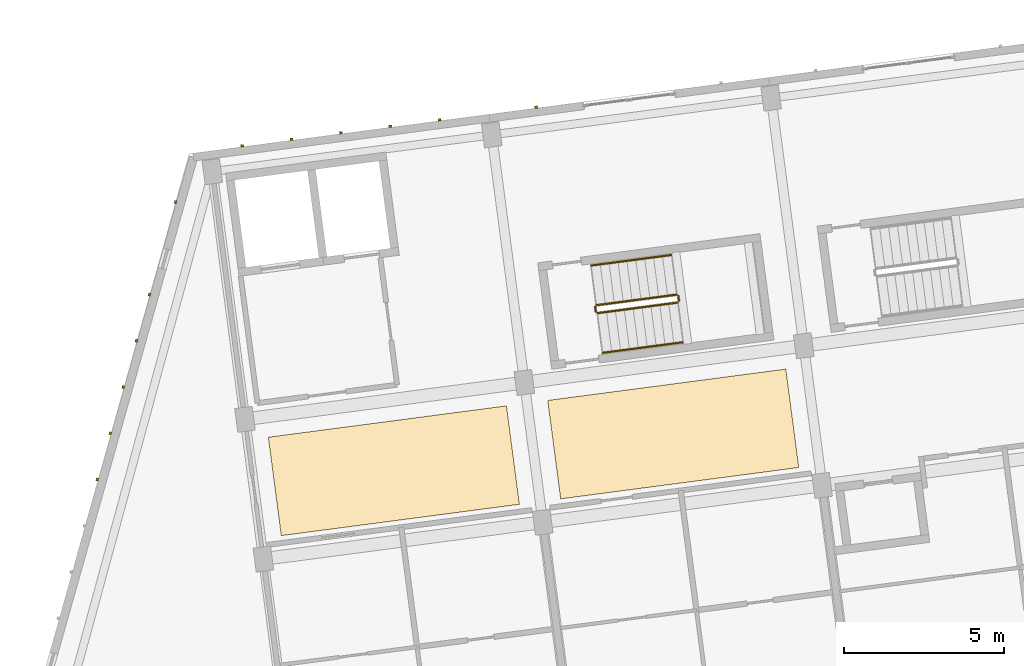
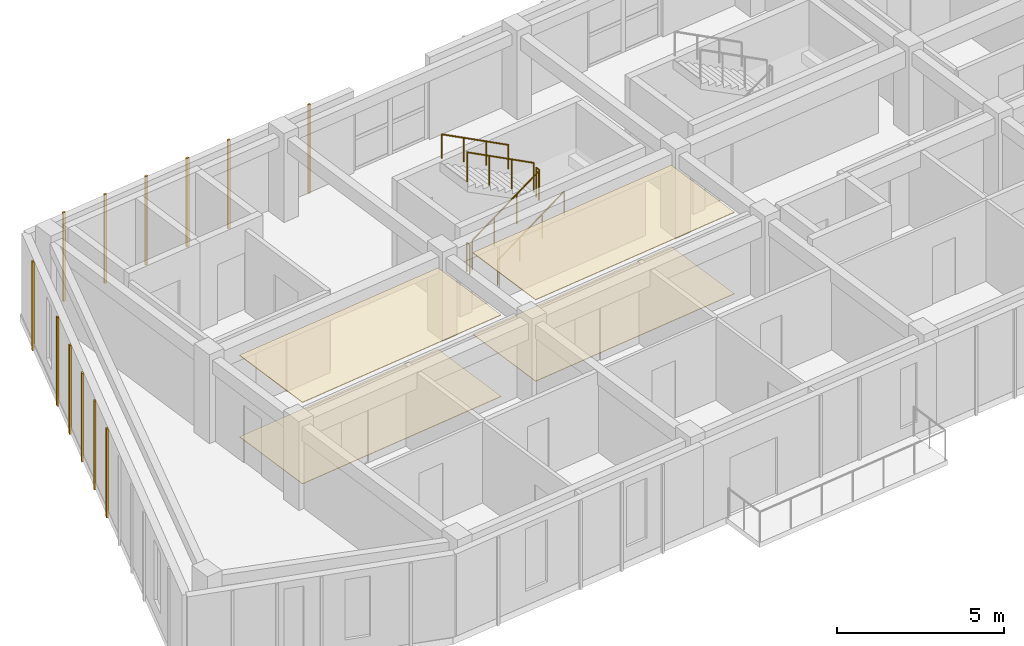
# One storey, part 45 of 68: 16 coverings, 6 railings.
"""IFC4 building model written with IfcOpenShell, lengths in metres."""

from ifc_helpers import new_model, si_unit, direction, frame, origin, origin_2d, place, context, subcontext, project, spatial, polyline, rectangle, circle, outline, extrude, material, layer, layer_set, type_object, element, save


model = new_model("IFC4")

# Units and contexts
model_context = context("Model", 3, precision=1e-05, world=origin(), true_north=direction((0.0, 1.0)))
body_context = subcontext(model_context, "Body", "Model", "MODEL_VIEW")
ifc_project = project(units=[si_unit("LENGTHUNIT", "METRE"), si_unit("AREAUNIT", "SQUARE_METRE"), si_unit("VOLUMEUNIT", "CUBIC_METRE"), si_unit("PLANEANGLEUNIT", "RADIAN"), si_unit("MASSUNIT", "GRAM", prefix="KILO")], contexts=[model_context])

# Site, building, storey
site_placement = place(None, origin())
site = spatial("IfcSite", under=ifc_project, at=site_placement, CompositionType="ELEMENT")
building_placement = place(site_placement, origin())
building = spatial("IfcBuilding", under=site, at=building_placement, Name="Kestramere Prow Commons", CompositionType="ELEMENT")
storey_placement = place(building_placement, frame((0.0, 0.0, 18.14990234375)))
storey = spatial("IfcBuildingStorey", under=building, at=storey_placement, Name="L05", CompositionType="ELEMENT", Elevation=18.14990234375)

# Coverings
ifc_material_1 = material(Name="Mineral Fibre Acoustic Ceiling Tile")
ifc_layer_1 = layer(ifc_material_1, 0.02490234375)
ifc_layer_set_1 = layer_set([ifc_layer_1], Name="Mineral Fibre Acoustic Ceiling Tile")
covering_type_1 = type_object("IfcCoveringType", Name="COV-CEIL-ACOUSTIC", PredefinedType="CEILING", material=ifc_layer_set_1)
covering_1_placement = place(storey_placement, frame((0.0, 0.0, 2.97509765625)))
element("IfcCovering", 1, at=covering_1_placement, inside=storey, type_object=covering_type_1, Name="Block A L05 Corridor Acoustic Ceiling 1", PredefinedType="CEILING", context=body_context, shape_type="SweptSolid", body=[
    extrude(outline(polyline([(10.741455078125, 80.462646484375), (18.17724609375, 81.44140625), (17.772705078125, 84.514892578125), (10.3369140625, 83.5361328125), (10.741455078125, 80.462646484375)])), origin(), (0.0, 0.0, 1.0), 0.02490234375),
])
covering_2_placement = place(storey_placement, frame((0.0, 0.0, 2.97509765625)))
element("IfcCovering", 2, at=covering_2_placement, inside=storey, type_object=covering_type_1, Name="Block A L05 Corridor Acoustic Ceiling 2", PredefinedType="CEILING", context=body_context, shape_type="SweptSolid", body=[
    extrude(outline(polyline([(19.46630859375, 81.611083984375), (26.902099609375, 82.590087890625), (26.497314453125, 85.66357421875), (19.0615234375, 84.6845703125), (19.46630859375, 81.611083984375)])), origin(), (0.0, 0.0, 1.0), 0.02490234375),
])
ifc_material_2 = material(Name="Weathered Zinc-Titanium Standing-Seam Cladding")
ifc_layer_2 = layer(ifc_material_2, 0.074951171875)
ifc_layer_set_2 = layer_set([ifc_layer_2], Name="Weathered Zinc-Titanium Standing-Seam Cladding")
covering_type_2 = type_object("IfcCoveringType", Name="COV-CLAD-SEAM", PredefinedType="CLADDING", material=ifc_layer_set_2)
for number, where, z_axis, x_axis, name in (
    (3, (9.521484375, 92.635009765625, -0.25), (0.0, 0.0, 1.0), (0.991444861374, 0.13052619222, 0.0), "EW-A-L05-N-0 Standing-Seam Rib 1"),
    (4, (11.062255859375, 92.837890625, -0.25), (0.0, 0.0, 1.0), (0.991444861374, 0.13052619222, 0.0), "EW-A-L05-N-0 Standing-Seam Rib 2"),
    (5, (12.603271484375, 93.040771484375, -0.25), (0.0, 0.0, 1.0), (0.991444861374, 0.13052619222, 0.0), "EW-A-L05-N-0 Standing-Seam Rib 3"),
    (6, (14.14404296875, 93.243408203125, -0.25), (0.0, 0.0, 1.0), (0.991444861374, 0.13052619222, 0.0), "EW-A-L05-N-0 Standing-Seam Rib 4"),
    (7, (15.684814453125, 93.4462890625, -0.25), (0.0, 0.0, 1.0), (0.991444861374, 0.13052619222, 0.0), "EW-A-L05-N-0 Standing-Seam Rib 5"),
    (8, (18.700439453125, 93.843505859375, -0.25), (0.0, 0.0, 1.0), (0.991444861374, 0.13052619222, 0.0), "EW-A-L05-NP-1-L Standing-Seam Rib 1"),
    (9, (4.995849609375, 82.21484375, -0.25), (0.0, 0.0, 1.0), (0.271159911526, 0.962534312314, 0.0), "EW-A-L05-PRW-N Standing-Seam Rib 6"),
    (10, (5.40283203125, 83.6591796875, -0.25), (0.0, 0.0, 1.0), (0.271159911526, 0.962534312314, 0.0), "EW-A-L05-PRW-N Standing-Seam Rib 7"),
    (11, (5.8095703125, 85.103271484375, -0.25), (0.0, 0.0, 1.0), (0.271159911526, 0.962534312314, 0.0), "EW-A-L05-PRW-N Standing-Seam Rib 8"),
    (12, (6.216552734375, 86.547607421875, -0.25), (0.0, 0.0, 1.0), (0.271159911526, 0.962534312314, 0.0), "EW-A-L05-PRW-N Standing-Seam Rib 9"),
    (13, (6.623291015625, 87.991943359375, -0.25), (0.0, 0.0, 1.0), (0.271159911526, 0.962534312314, 0.0), "EW-A-L05-PRW-N Standing-Seam Rib 10"),
    (14, (7.437255859375, 90.880615234375, -0.25), (0.0, 0.0, 1.0), (0.271159911526, 0.962534312314, 0.0), "EW-A-L05-PRW-N Standing-Seam Rib 12"),
):
    element("IfcCovering", number, at=place(storey_placement, frame(where, z_axis=z_axis, x_axis=x_axis)), inside=storey, type_object=covering_type_2, Name=name, PredefinedType="CLADDING", context=body_context, shape_type="SweptSolid", body=[
        extrude(rectangle(XDim=0.0849609375, YDim=0.06494140625, at=origin_2d()), origin(), (0.0, 0.0, 1.0), 3.25),
    ])
ifc_material_3 = material(Name="Honed Cementitious Terrazzo Tile")
ifc_layer_3 = layer(ifc_material_3, 0.02001953125)
ifc_layer_set_3 = layer_set([ifc_layer_3], Name="Honed Cementitious Terrazzo Tile")
covering_type_3 = type_object("IfcCoveringType", Name="COV-FLOOR-TERRAZZO", PredefinedType="FLOORING", material=ifc_layer_set_3)
covering_3_placement = place(storey_placement, origin())
element("IfcCovering", 15, at=covering_3_placement, inside=storey, type_object=covering_type_3, Name="Block A L05 Corridor Terrazzo Flooring 1", PredefinedType="FLOORING", context=body_context, shape_type="SweptSolid", body=[
    extrude(outline(polyline([(10.741455078125, 80.462646484375), (18.17724609375, 81.44140625), (17.772705078125, 84.514892578125), (10.3369140625, 83.5361328125), (10.741455078125, 80.462646484375)])), origin(), (0.0, 0.0, 1.0), 0.02001953125),
])
covering_4_placement = place(storey_placement, origin())
element("IfcCovering", 16, at=covering_4_placement, inside=storey, type_object=covering_type_3, Name="Block A L05 Corridor Terrazzo Flooring 2", PredefinedType="FLOORING", context=body_context, shape_type="SweptSolid", body=[
    extrude(outline(polyline([(19.46630859375, 81.611083984375), (26.902099609375, 82.590087890625), (26.497314453125, 85.66357421875), (19.0615234375, 84.6845703125), (19.46630859375, 81.611083984375)])), origin(), (0.0, 0.0, 1.0), 0.02001953125),
])

# Railings
ifc_material_4 = material(Name="Galvanised Steel S275JR", Category="steel")
railing_type_1 = type_object("IfcRailingType", Name="RL-ST-GR-1100", PredefinedType="GUARDRAIL", material=ifc_material_4)
railing_1_placement = place(storey_placement, frame((20.618896484375, 87.411376953125, 0.16259765625)))
element("IfcRailing", 17, at=railing_1_placement, inside=storey, type_object=railing_type_1, Name="L05 ST-A1 stair guard 1", PredefinedType="GUARDRAIL", context=body_context, shape_type="SweptSolid", body=[
    extrude(circle(Radius=0.02392578125, at=origin_2d()), frame((0.0, 0.0, 1.076171875), z_axis=(0.85752303711, 0.112867259233, 0.501911568525), x_axis=(-0.130494608992, 0.991449018873, 0.0)), (0.0, 0.0, 1.0), 2.91357421875),
    extrude(circle(Radius=0.02099609375, at=origin_2d()), origin(), (0.0, 0.0, 1.0), 1.052001953125),
    extrude(circle(Radius=0.02099609375, at=origin_2d()), frame((0.832763671875, 0.109619140625, 0.487548828125)), (0.0, 0.0, 1.0), 1.052001953125),
    extrude(circle(Radius=0.02099609375, at=origin_2d()), frame((1.665771484375, 0.21923828125, 0.974853515625)), (0.0, 0.0, 1.0), 1.052001953125),
    extrude(circle(Radius=0.02099609375, at=origin_2d()), frame((2.49853515625, 0.328857421875, 1.46240234375)), (0.0, 0.0, 1.0), 1.052001953125),
])
railing_2_placement = place(storey_placement, frame((23.160400390625, 87.79638671875, 1.625)))
element("IfcRailing", 18, at=railing_2_placement, inside=storey, type_object=railing_type_1, Name="L05 ST-A1 stair guard 2", PredefinedType="GUARDRAIL", context=body_context, shape_type="SweptSolid", body=[
    extrude(circle(Radius=0.02392578125, at=origin_2d()), frame((0.0, 0.0, 1.076171875), z_axis=(-0.130243938252, 0.991481979941, 0.0), x_axis=(-0.991481979941, -0.130243938252, 0.0)), (0.0, 0.0, 1.0), 0.14990234375),
    extrude(circle(Radius=0.02099609375, at=origin_2d()), origin(), (0.0, 0.0, 1.0), 1.052001953125),
    extrude(circle(Radius=0.02099609375, at=origin_2d()), frame((-0.01953125, 0.148681640625, 0.0)), (0.0, 0.0, 1.0), 1.052001953125),
])
railing_3_placement = place(storey_placement, frame((23.084716796875, 87.988037109375, 1.78759765625)))
element("IfcRailing", 19, at=railing_3_placement, inside=storey, type_object=railing_type_1, Name="L05 ST-A1 stair guard 3", PredefinedType="GUARDRAIL", context=body_context, shape_type="SweptSolid", body=[
    extrude(circle(Radius=0.02392578125, at=origin_2d()), frame((0.0, 0.0, 1.076171875), z_axis=(-0.857500858922, -0.112875369585, 0.501947634608), x_axis=(0.130507144135, -0.991447368916, 0.0)), (0.0, 0.0, 1.0), 2.91357421875),
    extrude(circle(Radius=0.02099609375, at=origin_2d()), origin(), (0.0, 0.0, 1.0), 1.052001953125),
    extrude(circle(Radius=0.02099609375, at=origin_2d()), frame((-0.832763671875, -0.109619140625, 0.487548828125)), (0.0, 0.0, 1.0), 1.052001953125),
    extrude(circle(Radius=0.02099609375, at=origin_2d()), frame((-1.66552734375, -0.21923828125, 0.974853515625)), (0.0, 0.0, 1.0), 1.052001953125),
    extrude(circle(Radius=0.02099609375, at=origin_2d()), frame((-2.498291015625, -0.328857421875, 1.46240234375)), (0.0, 0.0, 1.0), 1.052001953125),
])
railing_4_placement = place(storey_placement, frame((20.56298828125, 87.454345703125, 0.0)))
element("IfcRailing", 20, at=railing_4_placement, inside=storey, type_object=railing_type_1, Name="L05 ST-A1 stair guard 4", PredefinedType="GUARDRAIL", context=body_context, shape_type="SweptSolid", body=[
    extrude(circle(Radius=0.02392578125, at=origin_2d()), frame((0.0, 0.0, 1.076171875), z_axis=(-0.131843859112, 0.99127049629, 0.0), x_axis=(-0.99127049629, -0.131843859112, 0.0)), (0.0, 0.0, 1.0), 0.14990234375),
    extrude(circle(Radius=0.02099609375, at=origin_2d()), origin(), (0.0, 0.0, 1.0), 1.052001953125),
    extrude(circle(Radius=0.02099609375, at=origin_2d()), frame((-0.019775390625, 0.148681640625, 0.0)), (0.0, 0.0, 1.0), 1.052001953125),
])
ifc_material_5 = material(Name="Stainless Steel 304", Category="steel")
railing_type_2 = type_object("IfcRailingType", Name="RL-ST-HR-900", PredefinedType="HANDRAIL", material=ifc_material_5)
railing_5_placement = place(storey_placement, frame((20.7822265625, 86.171875, 0.3251953125)))
element("IfcRailing", 21, at=railing_5_placement, inside=storey, type_object=railing_type_2, Name="L05 ST-A1 stair handrail 1", PredefinedType="HANDRAIL", context=body_context, shape_type="SweptSolid", body=[
    extrude(circle(Radius=0.02392578125, at=origin_2d()), frame((0.0, 0.0, 0.8759765625), z_axis=(0.857492745196, 0.112958098361, 0.501942885148), x_axis=(-0.130602379397, 0.991434828164, 0.0)), (0.0, 0.0, 1.0), 2.91357421875),
    extrude(circle(Radius=0.02099609375, at=origin_2d()), origin(), (0.0, 0.0, 1.0), 0.851806640625),
    extrude(circle(Radius=0.02099609375, at=origin_2d()), frame((0.832763671875, 0.109619140625, 0.487548828125)), (0.0, 0.0, 1.0), 0.851806640625),
    extrude(circle(Radius=0.02099609375, at=origin_2d()), frame((1.66552734375, 0.219482421875, 0.974853515625)), (0.0, 0.0, 1.0), 0.851806640625),
    extrude(circle(Radius=0.02099609375, at=origin_2d()), frame((2.498291015625, 0.3291015625, 1.46240234375)), (0.0, 0.0, 1.0), 0.851806640625),
])
railing_6_placement = place(storey_placement, frame((22.921630859375, 89.227294921875, 1.9501953125)))
element("IfcRailing", 22, at=railing_6_placement, inside=storey, type_object=railing_type_2, Name="L05 ST-A1 stair handrail 2", PredefinedType="HANDRAIL", context=body_context, shape_type="SweptSolid", body=[
    extrude(circle(Radius=0.02392578125, at=origin_2d()), frame((0.0, 0.0, 0.8759765625), z_axis=(-0.85752303711, -0.112867259233, 0.501911568525), x_axis=(0.130494608992, -0.991449018873, 0.0)), (0.0, 0.0, 1.0), 2.91357421875),
    extrude(circle(Radius=0.02099609375, at=origin_2d()), origin(), (0.0, 0.0, 1.0), 0.851806640625),
    extrude(circle(Radius=0.02099609375, at=origin_2d()), frame((-0.832763671875, -0.109619140625, 0.487548828125)), (0.0, 0.0, 1.0), 0.851806640625),
    extrude(circle(Radius=0.02099609375, at=origin_2d()), frame((-1.665771484375, -0.21923828125, 0.974853515625)), (0.0, 0.0, 1.0), 0.851806640625),
    extrude(circle(Radius=0.02099609375, at=origin_2d()), frame((-2.49853515625, -0.328857421875, 1.46240234375)), (0.0, 0.0, 1.0), 0.851806640625),
])

save(model, "model.ifc")
